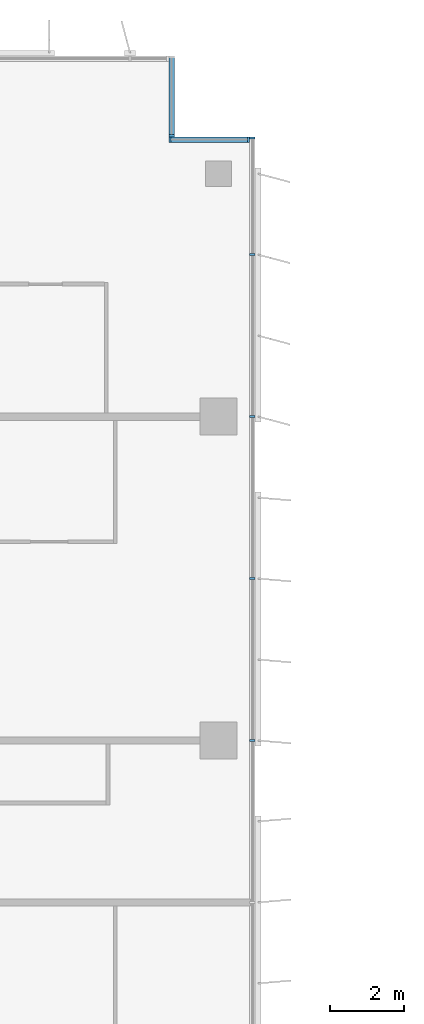
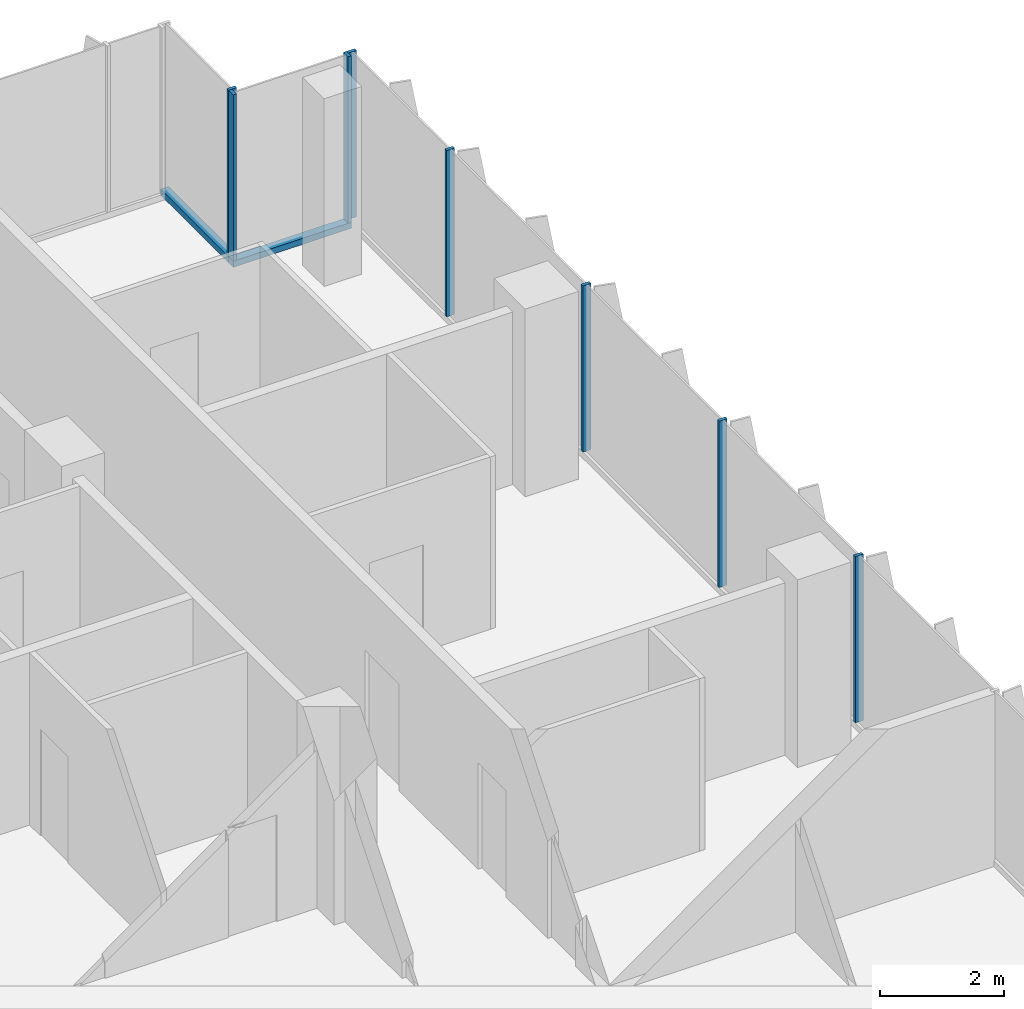
# One storey, part 7 of 21: 10 members, 3 elements without a shape of their own.
"""IFC4 building model written with IfcOpenShell, lengths in metres."""

from ifc_helpers import new_model, si_unit, direction, frame, origin, origin_2d, place, context, subcontext, project, spatial, rectangle, extrude, source, transform, mapped, material, material_profile, profile_set, type_object, element, aggregate, save


model = new_model("IFC4")

# Units and contexts
model_context = context("Model", 3, precision=1e-05, world=origin(), true_north=direction((0.0, 1.0)))
body_context = subcontext(model_context, "Body", "Model", "MODEL_VIEW")
ifc_project = project(units=[si_unit("LENGTHUNIT", "METRE"), si_unit("AREAUNIT", "SQUARE_METRE"), si_unit("VOLUMEUNIT", "CUBIC_METRE"), si_unit("PLANEANGLEUNIT", "RADIAN"), si_unit("MASSUNIT", "GRAM", prefix="KILO")], contexts=[model_context])

# Site, building, storey
site_placement = place(None, origin())
site = spatial("IfcSite", under=ifc_project, at=site_placement, CompositionType="ELEMENT")
building_placement = place(site_placement, origin())
building = spatial("IfcBuilding", under=site, at=building_placement, Name="Kemantara Hotel Tower", CompositionType="ELEMENT")
storey_placement = place(building_placement, frame((0.0, 0.0, 208.0)))
storey = spatial("IfcBuildingStorey", under=building, at=storey_placement, Name="L51", CompositionType="ELEMENT", Elevation=208.0)

# Curtain wall, member
ifc_material_1 = material(Name="Low-E tinted double insulated glass 36 mm", Category="glass")
curtain_wall_type = type_object("IfcCurtainWallType", Name="TOWER CURTAIN WALL, FRONT FACES", PredefinedType="USERDEFINED", material=ifc_material_1)
curtain_wall_1_placement = place(storey_placement, origin())
curtain_wall_1 = element("IfcCurtainWall", 1, at=curtain_wall_1_placement, inside=storey, type_object=curtain_wall_type, Name="CW4 L51 T3-R00-1", ObjectType="TOWER CURTAIN WALL, FRONT FACES", PredefinedType="USERDEFINED")
ifc_material_2 = material(Name="Aluminium 6063-T6 bronze anodised", Category="aluminium")
ifc_material_profile_1 = material_profile(ifc_material_2, rectangle(XDim=0.14990234375, YDim=0.1201171875, at=origin_2d()), Name="TOWER CURTAIN WALL, FRONT FACES TRANSOM")
ifc_profile_set_1 = profile_set([ifc_material_profile_1], Name="Aluminium 6063-T6 bronze anodised")
member_type_1 = type_object("IfcMemberType", Name="TOWER CURTAIN WALL, FRONT FACES TRANSOM", PredefinedType="USERDEFINED", material=ifc_profile_set_1)
member_1_placement = place(storey_placement, frame((21.85009765625, 61.324951171875, 0.06005859375), z_axis=(-1.0, 0.0, 0.0), x_axis=(0.0, -1.0, 0.0)))
member_1 = element("IfcMember", 2, at=member_1_placement, type_object=member_type_1, Name="CW4 sill transom T3-R00-1", ObjectType="TRANSOM", PredefinedType="USERDEFINED", context=body_context, shape_type="SweptSolid", body=[
    extrude(rectangle(XDim=0.14990234375, YDim=0.1201171875, at=origin_2d()), origin(), (0.0, 0.0, 1.0), 2.2001953125),
])

curtain_wall_2_placement = place(storey_placement, origin())
curtain_wall_2 = element("IfcCurtainWall", 3, at=curtain_wall_2_placement, inside=storey, type_object=curtain_wall_type, Name="CW4 L51 T3-R01-1", ObjectType="TOWER CURTAIN WALL, FRONT FACES", PredefinedType="USERDEFINED")
member_2_placement = place(storey_placement, frame((19.72509765625, 61.39990234375, 0.06005859375), z_axis=(0.0, 1.0, 0.0), x_axis=(-1.0, 0.0, 0.0)))
member_2 = element("IfcMember", 4, at=member_2_placement, type_object=member_type_1, Name="CW4 sill transom T3-R01-1", ObjectType="TRANSOM", PredefinedType="USERDEFINED", context=body_context, shape_type="SweptSolid", body=[
    extrude(rectangle(XDim=0.14990234375, YDim=0.1201171875, at=origin_2d()), origin(), (0.0, 0.0, 1.0), 2.2001953125),
])

# Curtain wall, members
curtain_wall_3_placement = place(storey_placement, origin())
curtain_wall_3 = element("IfcCurtainWall", 5, at=curtain_wall_3_placement, inside=storey, type_object=curtain_wall_type, Name="CW4 L51 T3-R17-1", ObjectType="TOWER CURTAIN WALL, FRONT FACES", PredefinedType="USERDEFINED")
ifc_material_profile_2 = material_profile(ifc_material_2, rectangle(XDim=0.14990234375, YDim=0.06005859375, at=origin_2d()), Name="TOWER CURTAIN WALL, FRONT FACES MULLION")
ifc_profile_set_2 = profile_set([ifc_material_profile_2], Name="Aluminium 6063-T6 bronze anodised")
member_type_2 = type_object("IfcMemberType", Name="TOWER CURTAIN WALL, FRONT FACES MULLION", PredefinedType="MULLION", material=ifc_profile_set_2)
shared_shape = source(origin(), body_context, "Body", "SweptSolid", [
    extrude(rectangle(XDim=0.14990234375, YDim=0.06005859375, at=origin_2d()), origin(), (0.0, 0.0, 1.0), 3.27978515625),
])
member_3_placement = place(storey_placement, frame((21.925048828125, 45.0, 0.1201171875), z_axis=(0.0, 0.0, 1.0), x_axis=(-1.0, 0.0, 0.0)))
member_3 = element("IfcMember", 6, at=member_3_placement, type_object=member_type_2, Name="CW4 mullion T3-R17-1.6", PredefinedType="MULLION", context=body_context, shape_type="MappedRepresentation", body=[
    mapped(shared_shape, transform((0.0, 0.0, 0.0))),
])
member_4_placement = place(storey_placement, frame((21.925048828125, 49.39990234375, 0.1201171875), z_axis=(0.0, 0.0, 1.0), x_axis=(-1.0, 0.0, 0.0)))
member_4 = element("IfcMember", 7, at=member_4_placement, type_object=member_type_2, Name="CW4 mullion T3-R17-1.7", PredefinedType="MULLION", context=body_context, shape_type="MappedRepresentation", body=[
    mapped(shared_shape, transform((0.0, 0.0, 0.0))),
])
member_5_placement = place(storey_placement, frame((21.925048828125, 53.800048828125, 0.1201171875), z_axis=(0.0, 0.0, 1.0), x_axis=(-1.0, 0.0, 0.0)))
member_5 = element("IfcMember", 8, at=member_5_placement, type_object=member_type_2, Name="CW4 mullion T3-R17-1.8", PredefinedType="MULLION", context=body_context, shape_type="MappedRepresentation", body=[
    mapped(shared_shape, transform((0.0, 0.0, 0.0))),
])
member_6_placement = place(storey_placement, frame((21.925048828125, 58.199951171875, 0.1201171875), z_axis=(0.0, 0.0, 1.0), x_axis=(-1.0, 0.0, 0.0)))
member_6 = element("IfcMember", 9, at=member_6_placement, type_object=member_type_2, Name="CW4 mullion T3-R17-1.9", PredefinedType="MULLION", context=body_context, shape_type="MappedRepresentation", body=[
    mapped(shared_shape, transform((0.0, 0.0, 0.0))),
])
member_7_placement = place(storey_placement, frame((21.925048828125, 61.3701171875, 0.1201171875), z_axis=(0.0, 0.0, 1.0), x_axis=(-1.0, 0.0, 0.0)))
member_7 = element("IfcMember", 10, at=member_7_placement, type_object=member_type_2, Name="CW4 mullion T3-R17-1.10", PredefinedType="MULLION", context=body_context, shape_type="MappedRepresentation", body=[
    mapped(shared_shape, transform((0.0, 0.0, 0.0))),
])
aggregate(curtain_wall_3, [member_3, member_4, member_5, member_6, member_7])

# Member
member_8_placement = place(storey_placement, frame((21.820068359375, 61.324951171875, 0.1201171875), z_axis=(0.0, 0.0, 1.0), x_axis=(0.0, -1.0, 0.0)))
member_8 = element("IfcMember", 11, at=member_8_placement, type_object=member_type_2, Name="CW4 mullion T3-R00-1.1", PredefinedType="MULLION", context=body_context, shape_type="MappedRepresentation", body=[
    mapped(shared_shape, transform((0.0, 0.0, 0.0))),
])

member_9_placement = place(storey_placement, frame((19.679931640625, 61.324951171875, 0.1201171875), z_axis=(0.0, 0.0, 1.0), x_axis=(0.0, -1.0, 0.0)))
member_9 = element("IfcMember", 12, at=member_9_placement, type_object=member_type_2, Name="CW4 mullion T3-R00-1.2", PredefinedType="MULLION", context=body_context, shape_type="MappedRepresentation", body=[
    mapped(shared_shape, transform((0.0, 0.0, 0.0))),
])

aggregate(curtain_wall_1, [member_1, member_8, member_9])

member_10_placement = place(storey_placement, frame((19.72509765625, 61.429931640625, 0.1201171875), z_axis=(0.0, 0.0, 1.0), x_axis=(-1.0, 0.0, 0.0)))
member_10 = element("IfcMember", 13, at=member_10_placement, type_object=member_type_2, Name="CW4 mullion T3-R01-1.1", PredefinedType="MULLION", context=body_context, shape_type="MappedRepresentation", body=[
    mapped(shared_shape, transform((0.0, 0.0, 0.0))),
])

aggregate(curtain_wall_2, [member_2, member_10])

save(model, "model.ifc")
